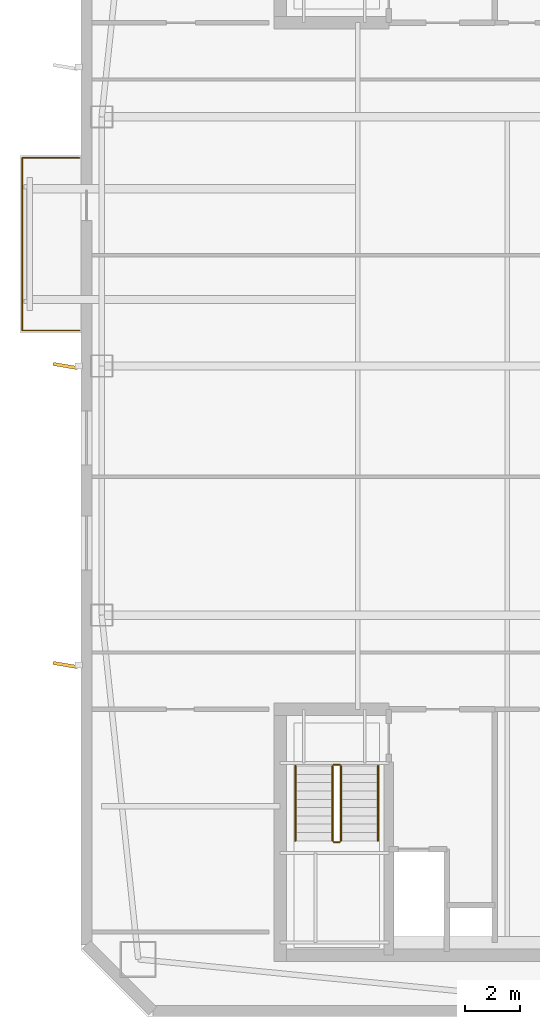
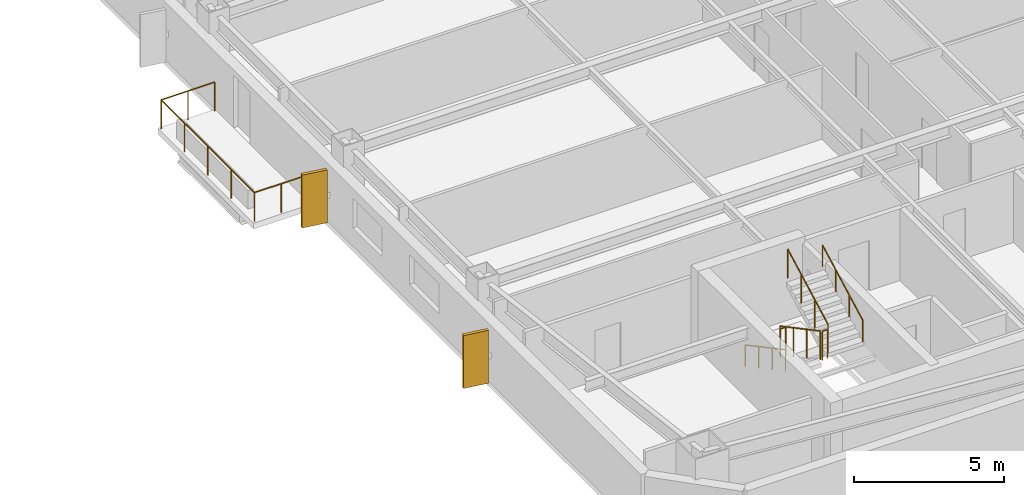
# One storey, part 5 of 7: 7 railings, 2 shading devices.
"""IFC4 building model written with IfcOpenShell, lengths in metres."""

from ifc_helpers import new_model, si_unit, direction, frame, origin, origin_2d, place, context, subcontext, project, spatial, rectangle, circle, extrude, material, layer, layer_set, type_object, element, save


model = new_model("IFC4")

# Units and contexts
model_context = context("Model", 3, precision=1e-05, world=origin(), true_north=direction((0.0, 1.0)))
body_context = subcontext(model_context, "Body", "Model", "MODEL_VIEW")
ifc_project = project(units=[si_unit("LENGTHUNIT", "METRE"), si_unit("AREAUNIT", "SQUARE_METRE"), si_unit("VOLUMEUNIT", "CUBIC_METRE"), si_unit("PLANEANGLEUNIT", "RADIAN"), si_unit("MASSUNIT", "GRAM", prefix="KILO")], contexts=[model_context])

# Site, building, storey
site_placement = place(None, origin())
site = spatial("IfcSite", under=ifc_project, at=site_placement, CompositionType="ELEMENT")
building_placement = place(site_placement, origin())
building = spatial("IfcBuilding", under=site, at=building_placement, Name="Qiaolan Cultural Towers", CompositionType="ELEMENT")
storey_placement = place(building_placement, frame((0.0, 0.0, 266.39990234375)))
storey = spatial("IfcBuildingStorey", under=building, at=storey_placement, Name="L73", CompositionType="ELEMENT", Elevation=266.39990234375)

# Railings
ifc_material_1 = material(Name="Laminated SentryGlas & Stainless Steel S31608 Balustrade", Category="steel")
railing_type_1 = type_object("IfcRailingType", Name="GRD-TERR-1200", PredefinedType="BALUSTRADE", material=ifc_material_1)
railing_1_placement = place(storey_placement, frame((14.550048828125, 35.280029296875, 0.0)))
element("IfcRailing", 1, at=railing_1_placement, inside=storey, type_object=railing_type_1, Name="L73 T1 Tree Balcony Guardrail W", PredefinedType="BALUSTRADE", context=body_context, shape_type="SweptSolid", body=[
    extrude(circle(Radius=0.02392578125, at=origin_2d()), frame((0.0, 0.0, 1.17578125), z_axis=(-1.0, 0.0, 0.0), x_axis=(0.0, -1.0, 0.0)), (0.0, 0.0, 1.0), 2.070068359375),
    extrude(circle(Radius=0.02392578125, at=origin_2d()), frame((-2.070068359375, 0.0, 1.17578125), z_axis=(0.0, 1.0, 0.0), x_axis=(-1.0, 0.0, 0.0)), (0.0, 0.0, 1.0), 6.239990234375),
    extrude(circle(Radius=0.02392578125, at=origin_2d()), frame((-2.070068359375, 6.239990234375, 1.17578125), z_axis=(1.0, 0.0, 0.0), x_axis=(0.0, 1.0, 0.0)), (0.0, 0.0, 1.0), 2.070068359375),
    extrude(circle(Radius=0.02099609375, at=origin_2d()), origin(), (0.0, 0.0, 1.0), 1.15185546875),
    extrude(circle(Radius=0.02099609375, at=origin_2d()), frame((-1.03515625, 0.0, 0.0)), (0.0, 0.0, 1.0), 1.15185546875),
    extrude(circle(Radius=0.02099609375, at=origin_2d()), frame((-2.070068359375, 0.0, 0.0)), (0.0, 0.0, 1.0), 1.15185546875),
    extrude(circle(Radius=0.02099609375, at=origin_2d()), frame((-2.070068359375, 1.56005859375, 0.0)), (0.0, 0.0, 1.0), 1.15185546875),
    extrude(circle(Radius=0.02099609375, at=origin_2d()), frame((-2.070068359375, 3.1201171875, 0.0)), (0.0, 0.0, 1.0), 1.15185546875),
    extrude(circle(Radius=0.02099609375, at=origin_2d()), frame((-2.070068359375, 4.679931640625, 0.0)), (0.0, 0.0, 1.0), 1.15185546875),
    extrude(circle(Radius=0.02099609375, at=origin_2d()), frame((-2.070068359375, 6.239990234375, 0.0)), (0.0, 0.0, 1.0), 1.15185546875),
    extrude(circle(Radius=0.02099609375, at=origin_2d()), frame((-1.03515625, 6.239990234375, 0.0)), (0.0, 0.0, 1.0), 1.15185546875),
    extrude(circle(Radius=0.02099609375, at=origin_2d()), frame((0.0, 6.239990234375, 0.0)), (0.0, 0.0, 1.0), 1.15185546875),
])
ifc_material_2 = material(Name="Galvanized Painted Steel Stair Guardrail", Category="steel")
railing_type_2 = type_object("IfcRailingType", Name="RL-STAIR-GRD", PredefinedType="GUARDRAIL", material=ifc_material_2)
railing_2_placement = place(storey_placement, frame((23.68994140625, 19.550048828125, 0.16015625)))
element("IfcRailing", 2, at=railing_2_placement, inside=storey, type_object=railing_type_2, Name="L73 ST-W1 stair guard 1", PredefinedType="GUARDRAIL", context=body_context, shape_type="SweptSolid", body=[
    extrude(circle(Radius=0.02392578125, at=origin_2d()), frame((0.0, 0.0, 1.17578125), z_axis=(0.0, -0.882357358376, 0.470579952952), x_axis=(1.0, 0.0, 0.0)), (0.0, 0.0, 1.0), 3.059814453125),
    extrude(circle(Radius=0.02099609375, at=origin_2d()), origin(), (0.0, 0.0, 1.0), 1.15185546875),
    extrude(circle(Radius=0.02099609375, at=origin_2d()), frame((0.0, -0.89990234375, 0.47998046875)), (0.0, 0.0, 1.0), 1.15185546875),
    extrude(circle(Radius=0.02099609375, at=origin_2d()), frame((0.0, -1.800048828125, 0.9599609375)), (0.0, 0.0, 1.0), 1.15185546875),
    extrude(circle(Radius=0.02099609375, at=origin_2d()), frame((0.0, -2.699951171875, 1.43994140625)), (0.0, 0.0, 1.0), 1.15185546875),
])
railing_3_placement = place(storey_placement, frame((23.739990234375, 16.800048828125, 1.60009765625)))
element("IfcRailing", 3, at=railing_3_placement, inside=storey, type_object=railing_type_2, Name="L73 ST-W1 stair guard 2", PredefinedType="GUARDRAIL", context=body_context, shape_type="SweptSolid", body=[
    extrude(circle(Radius=0.02392578125, at=origin_2d()), frame((0.0, 0.0, 1.17578125), z_axis=(1.0, 0.0, 0.0), x_axis=(0.0, 1.0, 0.0)), (0.0, 0.0, 1.0), 0.199951171875),
    extrude(circle(Radius=0.02099609375, at=origin_2d()), origin(), (0.0, 0.0, 1.0), 1.15185546875),
    extrude(circle(Radius=0.02099609375, at=origin_2d()), frame((0.199951171875, 0.0, 0.0)), (0.0, 0.0, 1.0), 1.15185546875),
])
railing_4_placement = place(storey_placement, frame((23.989990234375, 16.85009765625, 1.760009765625)))
element("IfcRailing", 4, at=railing_4_placement, inside=storey, type_object=railing_type_2, Name="L73 ST-W1 stair guard 3", PredefinedType="GUARDRAIL", context=body_context, shape_type="SweptSolid", body=[
    extrude(circle(Radius=0.02392578125, at=origin_2d()), frame((0.0, 0.0, 1.17578125), z_axis=(0.0, 0.882324228566, 0.470642067484), x_axis=(-1.0, 0.0, 0.0)), (0.0, 0.0, 1.0), 3.06005859375),
    extrude(circle(Radius=0.02099609375, at=origin_2d()), origin(), (0.0, 0.0, 1.0), 1.15185546875),
    extrude(circle(Radius=0.02099609375, at=origin_2d()), frame((0.0, 0.89990234375, 0.47998046875)), (0.0, 0.0, 1.0), 1.15185546875),
    extrude(circle(Radius=0.02099609375, at=origin_2d()), frame((0.0, 1.800048828125, 0.960205078125)), (0.0, 0.0, 1.0), 1.15185546875),
    extrude(circle(Radius=0.02099609375, at=origin_2d()), frame((0.0, 2.699951171875, 1.440185546875)), (0.0, 0.0, 1.0), 1.15185546875),
])
railing_5_placement = place(storey_placement, frame((23.739990234375, 19.60009765625, 0.0)))
element("IfcRailing", 5, at=railing_5_placement, inside=storey, type_object=railing_type_2, Name="L73 ST-W1 stair guard 4", PredefinedType="GUARDRAIL", context=body_context, shape_type="SweptSolid", body=[
    extrude(circle(Radius=0.02392578125, at=origin_2d()), frame((0.0, 0.0, 1.17578125), z_axis=(1.0, 0.0, 0.0), x_axis=(0.0, 1.0, 0.0)), (0.0, 0.0, 1.0), 0.199951171875),
    extrude(circle(Radius=0.02099609375, at=origin_2d()), origin(), (0.0, 0.0, 1.0), 1.15185546875),
    extrude(circle(Radius=0.02099609375, at=origin_2d()), frame((0.199951171875, 0.0, 0.0)), (0.0, 0.0, 1.0), 1.15185546875),
])
ifc_material_3 = material(Name="Stainless Steel S30408 Tubular Handrail", Category="steel")
railing_type_3 = type_object("IfcRailingType", Name="RL-STAIR-HR", PredefinedType="HANDRAIL", material=ifc_material_3)
railing_6_placement = place(storey_placement, frame((22.35009765625, 19.550048828125, 0.16015625)))
element("IfcRailing", 6, at=railing_6_placement, inside=storey, type_object=railing_type_3, Name="L73 ST-W1 stair handrail 1", PredefinedType="HANDRAIL", context=body_context, shape_type="SweptSolid", body=[
    extrude(circle(Radius=0.02392578125, at=origin_2d()), frame((0.0, 0.0, 0.8759765625), z_axis=(0.0, -0.882357358376, 0.470579952952), x_axis=(1.0, 0.0, 0.0)), (0.0, 0.0, 1.0), 3.059814453125),
    extrude(circle(Radius=0.02099609375, at=origin_2d()), origin(), (0.0, 0.0, 1.0), 0.851806640625),
    extrude(circle(Radius=0.02099609375, at=origin_2d()), frame((0.0, -0.89990234375, 0.47998046875)), (0.0, 0.0, 1.0), 0.851806640625),
    extrude(circle(Radius=0.02099609375, at=origin_2d()), frame((0.0, -1.800048828125, 0.9599609375)), (0.0, 0.0, 1.0), 0.851806640625),
    extrude(circle(Radius=0.02099609375, at=origin_2d()), frame((0.0, -2.699951171875, 1.43994140625)), (0.0, 0.0, 1.0), 0.851806640625),
])
railing_7_placement = place(storey_placement, frame((25.330078125, 16.85009765625, 1.760009765625)))
element("IfcRailing", 7, at=railing_7_placement, inside=storey, type_object=railing_type_3, Name="L73 ST-W1 stair handrail 2", PredefinedType="HANDRAIL", context=body_context, shape_type="SweptSolid", body=[
    extrude(circle(Radius=0.02392578125, at=origin_2d()), frame((0.0, 0.0, 0.8759765625), z_axis=(0.0, 0.882324228566, 0.470642067484), x_axis=(-1.0, 0.0, 0.0)), (0.0, 0.0, 1.0), 3.06005859375),
    extrude(circle(Radius=0.02099609375, at=origin_2d()), origin(), (0.0, 0.0, 1.0), 0.851806640625),
    extrude(circle(Radius=0.02099609375, at=origin_2d()), frame((0.0, 0.89990234375, 0.47998046875)), (0.0, 0.0, 1.0), 0.851806640625),
    extrude(circle(Radius=0.02099609375, at=origin_2d()), frame((0.0, 1.800048828125, 0.960205078125)), (0.0, 0.0, 1.0), 0.851806640625),
    extrude(circle(Radius=0.02099609375, at=origin_2d()), frame((0.0, 2.699951171875, 1.440185546875)), (0.0, 0.0, 1.0), 0.851806640625),
])

# Shading devices
ifc_material_4 = material(Name="Light Limestone Precast Vertical Fin", Category="masonry")
ifc_layer = layer(ifc_material_4, 0.1201171875)
ifc_layer_set = layer_set([ifc_layer], Name="Light Limestone Precast Vertical Fin")
shading_device_type = type_object("IfcShadingDeviceType", Name="SHD-FIN-WHITE", PredefinedType="USERDEFINED", material=ifc_layer_set)
for number, where, z_axis, x_axis, name in (
    (8, (14.0400390625, 23.199951171875, 0.10009765625), (0.0, 0.0, 1.0), (0.98587406802, -0.167488274236, 0.0), "L73 T1 Expressive Precast Vertical Fin W1"),
    (9, (14.0400390625, 34.0, 0.10009765625), (0.0, 0.0, 1.0), (0.98587406802, -0.167488274236, 0.0), "L73 T1 Expressive Precast Vertical Fin W2"),
):
    element("IfcShadingDevice", number, at=place(storey_placement, frame(where, z_axis=z_axis, x_axis=x_axis)), inside=storey, type_object=shading_device_type, Name=name, ObjectType="FIN", PredefinedType="USERDEFINED", context=body_context, shape_type="SweptSolid", body=[
        extrude(rectangle(XDim=0.89990234375, YDim=0.1201171875, at=origin_2d()), origin(), (0.0, 0.0, 1.0), 2.159912109375),
    ])

save(model, "model.ifc")
